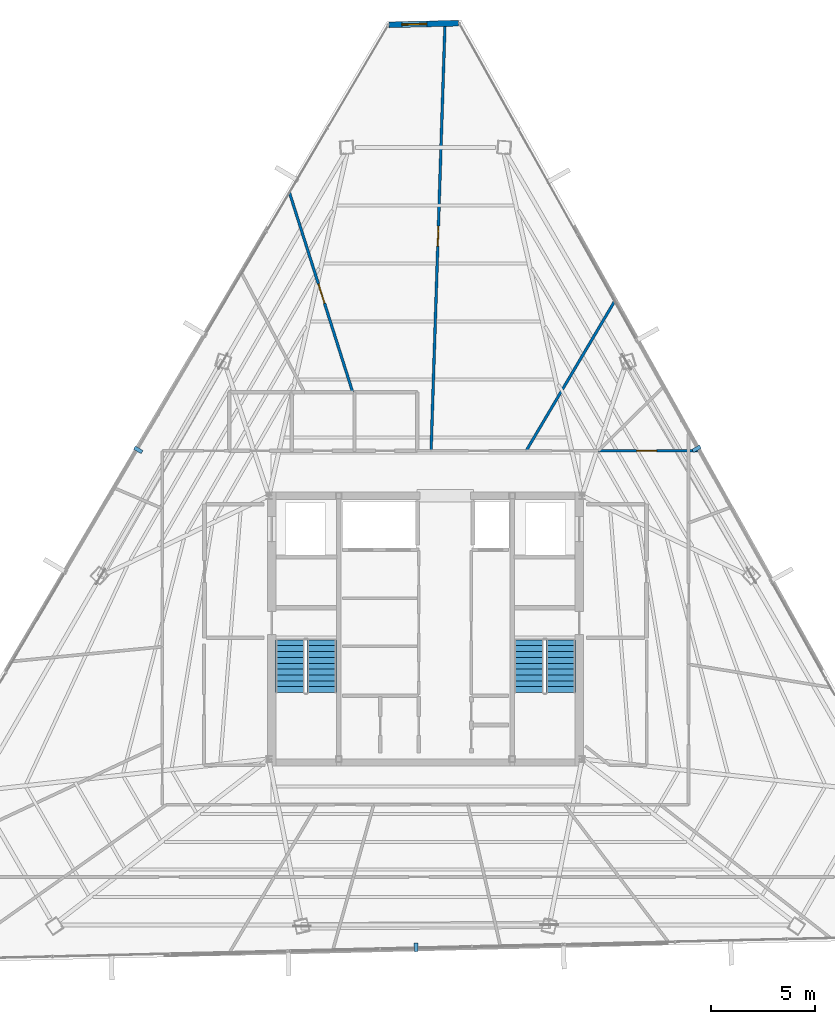
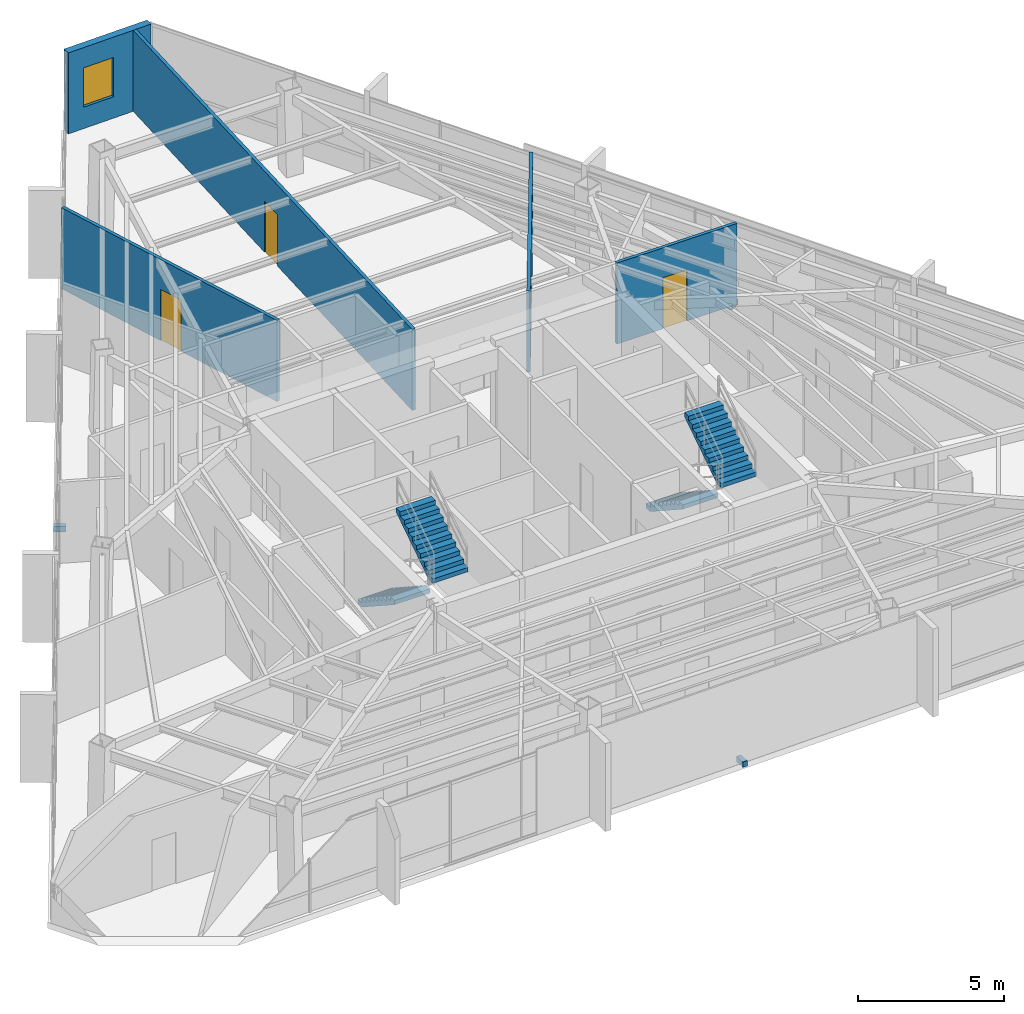
# One storey, part 42 of 44: 5 walls, 4 stair flights, 3 discrete accessories, 3 doors, 1 window, 4 openings, 2 elements without a shape of their own.
"""IFC4 building model written with IfcOpenShell, lengths in metres."""

from ifc_helpers import new_model, si_unit, direction, frame, frame_2d, origin, origin_2d, place, context, subcontext, project, spatial, polyline, rectangle, outline, extrude, source, transform, mapped, material, layer, layer_set, type_object, type_shapes, element, fill, aggregate, save


model = new_model("IFC4")

# Units and contexts
model_context = context("Model", 3, precision=1e-05, world=origin(), true_north=direction((0.0, 1.0)))
body_context = subcontext(model_context, "Body", "Model", "MODEL_VIEW")
ifc_project = project(units=[si_unit("LENGTHUNIT", "METRE"), si_unit("AREAUNIT", "SQUARE_METRE"), si_unit("VOLUMEUNIT", "CUBIC_METRE"), si_unit("PLANEANGLEUNIT", "RADIAN"), si_unit("MASSUNIT", "GRAM", prefix="KILO")], contexts=[model_context])

# Site, building, storey
site_placement = place(None, origin())
site = spatial("IfcSite", under=ifc_project, at=site_placement, CompositionType="ELEMENT")
building_placement = place(site_placement, origin())
building = spatial("IfcBuilding", under=site, at=building_placement, Name="Caelisora Broadcast Tower", CompositionType="ELEMENT")
storey_placement = place(building_placement, frame((0.0, 0.0, 259.050048828125)))
storey = spatial("IfcBuildingStorey", under=building, at=storey_placement, Name="L68", CompositionType="ELEMENT", Elevation=259.050048828125)

# Wall, opening, window
ifc_material_1 = material(Name="Insulated Terracotta Spandrel Wall System", Category="masonry")
ifc_layer_1 = layer(ifc_material_1, 0.280029296875, Name="Insulated Terracotta Spandrel Wall System")
ifc_layer_set_1 = layer_set([ifc_layer_1], Name="Insulated Terracotta Spandrel Wall System")
wall_type_1 = type_object("IfcWallType", Name="EW1", PredefinedType="STANDARD", material=ifc_layer_set_1)
wall_1_placement = place(storey_placement, frame((36.262939453125, 52.55078125, 0.0), z_axis=(0.0, 0.0, 1.0), x_axis=(0.999721143415, 0.023614305177, 0.0)))
wall_1 = element("IfcWall", 1, at=wall_1_placement, inside=storey, type_object=wall_type_1, Name="L68 exterior envelope wall EW1", PredefinedType="STANDARD", context=body_context, shape_type="SweptSolid", body=[
    extrude(rectangle(XDim=3.3291015625, YDim=0.280029296875, at=frame_2d((1.66455078125, 0.0))), origin(), (0.0, 0.0, 1.0), 3.39990234375),
])
opening_1_placement = place(wall_1_placement, frame((0.610107421875, 0.0, 0.89990234375)))
opening_1 = element("IfcOpeningElement", 2, at=opening_1_placement, cuts=wall_1, Name="Opening W03", PredefinedType="OPENING", context=body_context, shape_type="SweptSolid", body=[
    extrude(rectangle(XDim=1.199951171875, YDim=1.64990234375, at=frame_2d((0.60009765625, 0.824951171875))), frame((0.0, 0.152099609375, 0.0), z_axis=(0.0, -1.0, 0.0), x_axis=(1.0, 0.0, 0.0)), (0.0, 0.0, 1.0), 0.303955078125),
])
ifc_material_2 = material(Name="Double Glazed Corner Vision Window", Category="glass")
window_type = type_object("IfcWindowType", Name="W03", PartitioningType="SINGLE_PANEL", PredefinedType="WINDOW", material=ifc_material_2)
window_placement = place(opening_1_placement, origin())
window = element("IfcWindow", 3, at=window_placement, inside=storey, type_object=window_type, Name="L68 window W03 (L68-WN-CH8)", OverallHeight=1.64990234375, OverallWidth=1.199951171875, PartitioningType="SINGLE_PANEL", PredefinedType="WINDOW", context=body_context, shape_type="SweptSolid", body=[
    extrude(rectangle(XDim=1.199951171875, YDim=1.64990234375, at=frame_2d((0.60009765625, 0.824951171875))), frame((0.0, 0.030029296875, 0.0), z_axis=(0.0, -1.0, 0.0), x_axis=(1.0, 0.0, 0.0)), (0.0, 0.0, 1.0), 0.06005859375),
])
fill(opening_1, window)

# Wall, opening, door
ifc_material_3 = material(Name="Acoustic Steel-Stud Plasterboard Partition", Category="gypsum")
ifc_layer_2 = layer(ifc_material_3, 0.1298828125, Name="Acoustic Steel-Stud Plasterboard Partition")
ifc_layer_set_2 = layer_set([ifc_layer_2], Name="Acoustic Steel-Stud Plasterboard Partition")
wall_type_2 = type_object("IfcWallType", Name="PW3", PredefinedType="PARTITIONING", material=ifc_layer_set_2)
wall_2_placement = place(storey_placement, frame((38.27001953125, 32.155029296875, 0.0), z_axis=(0.0, 0.0, 1.0), x_axis=(0.032576353976, 0.999469249733, 0.0)))
wall_2 = element("IfcWall", 4, at=wall_2_placement, inside=storey, type_object=wall_type_2, Name="L68 internal partition PW3", PredefinedType="PARTITIONING", context=body_context, shape_type="SweptSolid", body=[
    extrude(rectangle(XDim=20.474853515625, YDim=0.1298828125, at=frame_2d((10.2373046875, 0.0))), origin(), (0.0, 0.0, 1.0), 3.39990234375),
])
opening_2_placement = place(wall_2_placement, frame((9.802978515625, 0.0, 0.0)))
opening_2 = element("IfcOpeningElement", 5, at=opening_2_placement, cuts=wall_2, Name="Opening D01", PredefinedType="OPENING", context=body_context, shape_type="SweptSolid", body=[
    extrude(rectangle(XDim=0.9599609375, YDim=2.14990234375, at=frame_2d((0.47998046875, 1.074951171875))), frame((0.0, 0.076904296875, 0.0), z_axis=(0.0, -1.0, 0.0), x_axis=(1.0, 0.0, 0.0)), (0.0, 0.0, 1.0), 0.15380859375),
])
ifc_material_4 = material(Name="Solid-Core Timber Acoustic Office Door", Category="wood")
door_type = type_object("IfcDoorType", Name="D01", OperationType="NOTDEFINED", PredefinedType="DOOR", material=ifc_material_4)
door_1_placement = place(opening_2_placement, origin())
door_1 = element("IfcDoor", 6, at=door_1_placement, inside=storey, type_object=door_type, Name="L68 door D01 (L68-DR-P30D1)", OperationType="SINGLE_SWING_RIGHT", OverallHeight=2.14990234375, OverallWidth=0.9599609375, PredefinedType="DOOR", context=body_context, shape_type="SweptSolid", body=[
    extrude(rectangle(XDim=0.9599609375, YDim=2.14990234375, at=frame_2d((0.47998046875, 1.074951171875))), frame((0.0, 0.02490234375, 0.0), z_axis=(0.0, -1.0, 0.0), x_axis=(1.0, 0.0, 0.0)), (0.0, 0.0, 1.0), 0.050048828125),
])
fill(opening_2, door_1)

wall_3_placement = place(storey_placement, frame((31.487060546875, 44.523193359375, 0.0), z_axis=(0.0, 0.0, 1.0), x_axis=(0.30199155665, -0.953310599811, 0.0)))
wall_3 = element("IfcWall", 7, at=wall_3_placement, inside=storey, type_object=wall_type_2, Name="L68 internal partition PW3", PredefinedType="PARTITIONING", context=body_context, shape_type="SweptSolid", body=[
    extrude(rectangle(XDim=10.03662109375, YDim=0.1298828125, at=frame_2d((5.018310546875, 0.0))), origin(), (0.0, 0.0, 1.0), 3.39990234375),
])
opening_3_placement = place(wall_3_placement, frame((4.60009765625, 0.0, 0.0)))
opening_3 = element("IfcOpeningElement", 8, at=opening_3_placement, cuts=wall_3, Name="Opening D01", PredefinedType="OPENING", context=body_context, shape_type="SweptSolid", body=[
    extrude(rectangle(XDim=0.9599609375, YDim=2.14990234375, at=frame_2d((0.47998046875, 1.074951171875))), frame((0.0, 0.076904296875, 0.0), z_axis=(0.0, -1.0, 0.0), x_axis=(1.0, 0.0, 0.0)), (0.0, 0.0, 1.0), 0.15380859375),
])
door_2_placement = place(opening_3_placement, origin())
door_2 = element("IfcDoor", 9, at=door_2_placement, inside=storey, type_object=door_type, Name="L68 door D01 (L68-DR-P33D1)", OperationType="SINGLE_SWING_LEFT", OverallHeight=2.14990234375, OverallWidth=0.9599609375, PredefinedType="DOOR", context=body_context, shape_type="SweptSolid", body=[
    extrude(rectangle(XDim=0.9599609375, YDim=2.14990234375, at=frame_2d((0.47998046875, 1.074951171875))), frame((0.0, 0.02490234375, 0.0), z_axis=(0.0, -1.0, 0.0), x_axis=(1.0, 0.0, 0.0)), (0.0, 0.0, 1.0), 0.050048828125),
])
fill(opening_3, door_2)

# Wall
wall_4_placement = place(storey_placement, frame((42.822998046875, 32.154052734375, 0.0), z_axis=(0.0, 0.0, 1.0), x_axis=(0.509033391068, 0.860746772737, 0.0)))
element("IfcWall", 10, at=wall_4_placement, inside=storey, type_object=wall_type_2, Name="L68 internal partition PW3", PredefinedType="PARTITIONING", context=body_context, shape_type="SweptSolid", body=[
    extrude(rectangle(XDim=8.33056640625, YDim=0.1298828125, at=frame_2d((4.165283203125, 0.0))), origin(), (0.0, 0.0, 1.0), 3.39990234375),
])

# Wall, opening, door
wall_5_placement = place(storey_placement, frame((51.0478515625, 32.14990234375, 0.0), z_axis=(0.0, 0.0, 1.0), x_axis=(-1.0, 0.0, 0.0)))
wall_5 = element("IfcWall", 11, at=wall_5_placement, inside=storey, type_object=wall_type_2, Name="L68 internal partition PW3", PredefinedType="PARTITIONING", context=body_context, shape_type="SweptSolid", body=[
    extrude(rectangle(XDim=4.762939453125, YDim=0.1298828125, at=frame_2d((2.38134765625, 0.0))), origin(), (0.0, 0.0, 1.0), 3.39990234375),
])
opening_4_placement = place(wall_5_placement, frame((1.97998046875, 0.0, 0.0)))
opening_4 = element("IfcOpeningElement", 12, at=opening_4_placement, cuts=wall_5, Name="Opening D01", PredefinedType="OPENING", context=body_context, shape_type="SweptSolid", body=[
    extrude(rectangle(XDim=0.9599609375, YDim=2.14990234375, at=frame_2d((0.47998046875, 1.074951171875))), frame((0.0, 0.076904296875, 0.0), z_axis=(0.0, -1.0, 0.0), x_axis=(1.0, 0.0, 0.0)), (0.0, 0.0, 1.0), 0.15380859375),
])
door_3_placement = place(opening_4_placement, origin())
door_3 = element("IfcDoor", 13, at=door_3_placement, inside=storey, type_object=door_type, Name="L68 door D01 (L68-DR-P63D1)", OperationType="SINGLE_SWING_LEFT", OverallHeight=2.14990234375, OverallWidth=0.9599609375, PredefinedType="DOOR", context=body_context, shape_type="SweptSolid", body=[
    extrude(rectangle(XDim=0.9599609375, YDim=2.14990234375, at=frame_2d((0.47998046875, 1.074951171875))), frame((0.0, 0.02490234375, 0.0), z_axis=(0.0, -1.0, 0.0), x_axis=(1.0, 0.0, 0.0)), (0.0, 0.0, 1.0), 0.050048828125),
])
fill(opening_4, door_3)

# Stair, stair flights
ifc_material_5 = material(Name="Concrete 40 MPa (AS 3600 N40)", Category="concrete")
stair_type_1 = type_object("IfcStairType", Name="ST-1", PredefinedType="HALF_TURN_STAIR", material=ifc_material_5)
stair_1_placement = place(storey_placement, origin())
stair_1 = element("IfcStair", 14, at=stair_1_placement, inside=storey, type_object=stair_type_1, Name="L68 West Fire-Isolated Tower Stair", PredefinedType="HALF_TURN_STAIR")
stair_flight_type = type_object("IfcStairFlightType", Name="STF-4", PredefinedType="STRAIGHT", material=ifc_material_5)
stair_flight_1_placement = place(storey_placement, frame((31.52001953125, 23.10009765625, 0.0), z_axis=(0.0, 0.0, 1.0), x_axis=(0.0, -1.0, 0.0)))
stair_flight_1 = element("IfcStairFlight", 15, at=stair_flight_1_placement, type_object=stair_flight_type, Name="ST-1 flight 1", NumberOfRisers=10, NumberOfTreads=9, PredefinedType="STRAIGHT", RiserHeight=0.1825, TreadLength=0.28, context=body_context, shape_type="SweptSolid", body=[
    extrude(outline(polyline([(0.0, 0.0), (0.0, 0.1826171875), (0.280029296875, 0.1826171875), (0.280029296875, 0.364990234375), (0.56005859375, 0.364990234375), (0.56005859375, 0.547607421875), (0.840087890625, 0.547607421875), (0.840087890625, 0.72998046875), (1.1201171875, 0.72998046875), (1.1201171875, 0.91259765625), (1.39990234375, 0.91259765625), (1.39990234375, 1.094970703125), (1.679931640625, 1.094970703125), (1.679931640625, 1.277587890625), (1.9599609375, 1.277587890625), (1.9599609375, 1.4599609375), (2.239990234375, 1.4599609375), (2.239990234375, 1.642578125), (2.52001953125, 1.642578125), (2.52001953125, 1.824951171875), (2.52001953125, 1.463623046875), (0.2744140625, 0.0), (0.0, 0.0)])), frame((0.0, 0.699951171875, 0.0), z_axis=(0.0, -1.0, 0.0), x_axis=(1.0, 0.0, 0.0)), (0.0, 0.0, 1.0), 1.39990234375),
])
stair_flight_2_placement = place(storey_placement, frame((33.0400390625, 20.580078125, 1.824951171875), z_axis=(0.0, 0.0, 1.0), x_axis=(0.0, 1.0, 0.0)))
stair_flight_2 = element("IfcStairFlight", 16, at=stair_flight_2_placement, type_object=stair_flight_type, Name="ST-1 flight 2", NumberOfRisers=10, NumberOfTreads=9, PredefinedType="STRAIGHT", RiserHeight=0.1825, TreadLength=0.28, context=body_context, shape_type="SweptSolid", body=[
    extrude(outline(polyline([(0.0, 0.0), (0.0, 0.1826171875), (0.280029296875, 0.1826171875), (0.280029296875, 0.364990234375), (0.56005859375, 0.364990234375), (0.56005859375, 0.547607421875), (0.840087890625, 0.547607421875), (0.840087890625, 0.72998046875), (1.1201171875, 0.72998046875), (1.1201171875, 0.91259765625), (1.39990234375, 0.91259765625), (1.39990234375, 1.094970703125), (1.679931640625, 1.094970703125), (1.679931640625, 1.277587890625), (1.9599609375, 1.277587890625), (1.9599609375, 1.4599609375), (2.239990234375, 1.4599609375), (2.239990234375, 1.642578125), (2.52001953125, 1.642578125), (2.52001953125, 1.824951171875), (2.52001953125, 1.463623046875), (0.2744140625, 0.0), (0.0, 0.0)])), frame((0.0, 0.699951171875, 0.0), z_axis=(0.0, -1.0, 0.0), x_axis=(1.0, 0.0, 0.0)), (0.0, 0.0, 1.0), 1.39990234375),
])
aggregate(stair_1, [stair_flight_1, stair_flight_2])

stair_type_2 = type_object("IfcStairType", Name="ST-2", PredefinedType="HALF_TURN_STAIR", material=ifc_material_5)
stair_2_placement = place(storey_placement, origin())
stair_2 = element("IfcStair", 17, at=stair_2_placement, inside=storey, type_object=stair_type_2, Name="L68 East Fire-Isolated Tower Stair", PredefinedType="HALF_TURN_STAIR")
stair_flight_3_placement = place(storey_placement, frame((42.9599609375, 23.10009765625, 0.0), z_axis=(0.0, 0.0, 1.0), x_axis=(0.0, -1.0, 0.0)))
stair_flight_3 = element("IfcStairFlight", 18, at=stair_flight_3_placement, type_object=stair_flight_type, Name="ST-2 flight 1", NumberOfRisers=10, NumberOfTreads=9, PredefinedType="STRAIGHT", RiserHeight=0.1825, TreadLength=0.28, context=body_context, shape_type="SweptSolid", body=[
    extrude(outline(polyline([(0.0, 0.0), (0.0, 0.1826171875), (0.280029296875, 0.1826171875), (0.280029296875, 0.364990234375), (0.56005859375, 0.364990234375), (0.56005859375, 0.547607421875), (0.840087890625, 0.547607421875), (0.840087890625, 0.72998046875), (1.1201171875, 0.72998046875), (1.1201171875, 0.91259765625), (1.39990234375, 0.91259765625), (1.39990234375, 1.094970703125), (1.679931640625, 1.094970703125), (1.679931640625, 1.277587890625), (1.9599609375, 1.277587890625), (1.9599609375, 1.4599609375), (2.239990234375, 1.4599609375), (2.239990234375, 1.642578125), (2.52001953125, 1.642578125), (2.52001953125, 1.824951171875), (2.52001953125, 1.463623046875), (0.2744140625, 0.0), (0.0, 0.0)])), frame((0.0, 0.699951171875, 0.0), z_axis=(0.0, -1.0, 0.0), x_axis=(1.0, 0.0, 0.0)), (0.0, 0.0, 1.0), 1.39990234375),
])
stair_flight_4_placement = place(storey_placement, frame((44.47998046875, 20.580078125, 1.824951171875), z_axis=(0.0, 0.0, 1.0), x_axis=(0.0, 1.0, 0.0)))
stair_flight_4 = element("IfcStairFlight", 19, at=stair_flight_4_placement, type_object=stair_flight_type, Name="ST-2 flight 2", NumberOfRisers=10, NumberOfTreads=9, PredefinedType="STRAIGHT", RiserHeight=0.1825, TreadLength=0.28, context=body_context, shape_type="SweptSolid", body=[
    extrude(outline(polyline([(0.0, 0.0), (0.0, 0.1826171875), (0.280029296875, 0.1826171875), (0.280029296875, 0.364990234375), (0.56005859375, 0.364990234375), (0.56005859375, 0.547607421875), (0.840087890625, 0.547607421875), (0.840087890625, 0.72998046875), (1.1201171875, 0.72998046875), (1.1201171875, 0.91259765625), (1.39990234375, 0.91259765625), (1.39990234375, 1.094970703125), (1.679931640625, 1.094970703125), (1.679931640625, 1.277587890625), (1.9599609375, 1.277587890625), (1.9599609375, 1.4599609375), (2.239990234375, 1.4599609375), (2.239990234375, 1.642578125), (2.52001953125, 1.642578125), (2.52001953125, 1.824951171875), (2.52001953125, 1.463623046875), (0.2744140625, 0.0), (0.0, 0.0)])), frame((0.0, 0.699951171875, 0.0), z_axis=(0.0, -1.0, 0.0), x_axis=(1.0, 0.0, 0.0)), (0.0, 0.0, 1.0), 1.39990234375),
])
aggregate(stair_2, [stair_flight_3, stair_flight_4])

# Discrete accessories
ifc_material_6 = material(Name="Steel Grade 350 (AS/NZS 3679.1)", Category="steel")
discrete_accessory_type = type_object("IfcDiscreteAccessoryType", Name="BRK-1", PredefinedType="BRACKET", material=ifc_material_6)
shared_shape = source(origin(), body_context, "Body", "SweptSolid", [
    extrude(rectangle(XDim=0.179931640625, YDim=0.419921875, at=origin_2d()), origin(), (0.0, 0.0, 1.0), 0.219970703125),
])
type_shapes(discrete_accessory_type, [shared_shape])
for number, where, z_axis, x_axis, name in (
    (20, (24.2490234375, 32.197021484375, -0.16015625), (0.0, 0.0, 1.0), (-0.508440380454, -0.861097195167, 0.0), "L68 solar screen outrigger bracket #1"),
    (21, (37.5546875, 8.37744140625, -0.16015625), (0.0, 0.0, 1.0), (0.999718303037, 0.023734248954, 0.0), "L68 solar screen outrigger bracket #2"),
    (22, (50.9794921875, 32.24658203125, -0.16015625), (0.0, 0.0, 1.0), (-0.487859659139, 0.87292207727, 0.0), "L68 solar screen outrigger bracket #3"),
):
    element("IfcDiscreteAccessory", number, at=place(storey_placement, frame(where, z_axis=z_axis, x_axis=x_axis)), inside=storey, type_object=discrete_accessory_type, Name=name, PredefinedType="BRACKET", context=body_context, shape_type="MappedRepresentation", body=[
        mapped(shared_shape, transform((0.0, 0.0, 0.0), scale=1.0)),
    ])

save(model, "model.ifc")
